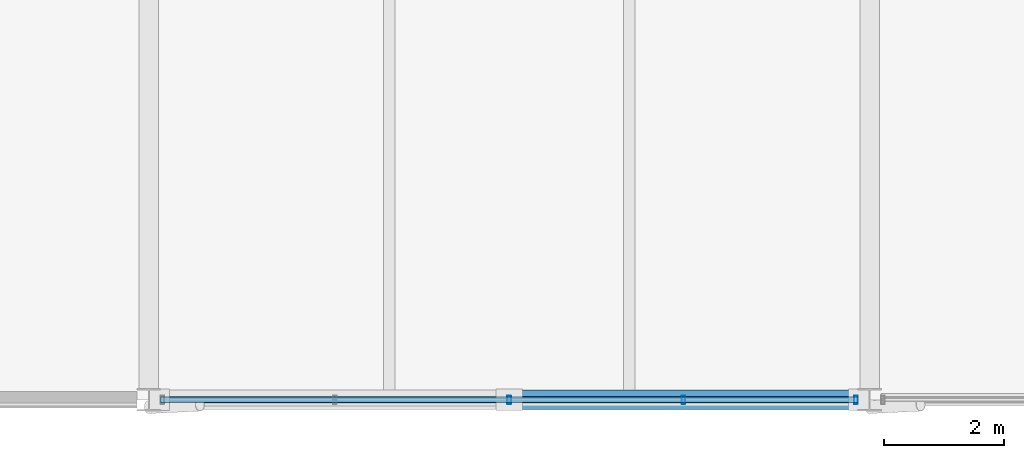
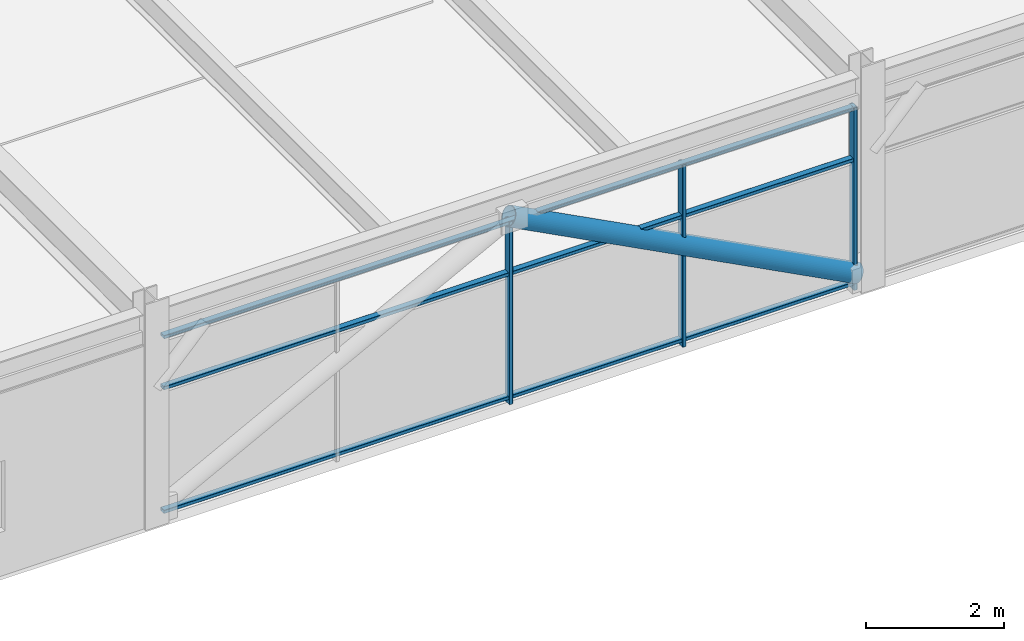
# One storey, part 10 of 52: 7 members, 1 element without a shape of its own.
"""IFC4 building model written with IfcOpenShell, lengths in metres."""

from ifc_helpers import new_model, si_unit, direction, frame, origin, origin_2d, place, context, subcontext, project, spatial, hollow_rectangle, hollow_circle, extrude, material, material_profile, profile_set, type_object, element, aggregate, save


model = new_model("IFC4")

# Units and contexts
model_context = context("Model", 3, precision=1e-05, world=origin(), true_north=direction((0.0, 1.0)))
body_context = subcontext(model_context, "Body", "Model", "MODEL_VIEW")
ifc_project = project(units=[si_unit("LENGTHUNIT", "METRE"), si_unit("AREAUNIT", "SQUARE_METRE"), si_unit("VOLUMEUNIT", "CUBIC_METRE"), si_unit("PLANEANGLEUNIT", "RADIAN"), si_unit("MASSUNIT", "GRAM", prefix="KILO")], contexts=[model_context])

# Site, building, storey
site_placement = place(None, origin())
site = spatial("IfcSite", under=ifc_project, at=site_placement, CompositionType="ELEMENT")
building_placement = place(site_placement, origin())
building = spatial("IfcBuilding", under=site, at=building_placement, Name="Girod Span Mobility Hub", CompositionType="ELEMENT")
storey_placement = place(building_placement, frame((0.0, 0.0, 45.60009765625)))
storey = spatial("IfcBuildingStorey", under=building, at=storey_placement, Name="L11", CompositionType="ELEMENT", Elevation=45.60009765625)

# Curtain wall, members
ifc_material_1 = material(Name="Thermally Broken Anodised Aluminium", Category="aluminium")
curtain_wall_type = type_object("IfcCurtainWallType", Name="CW-1161X324", PredefinedType="USERDEFINED", material=ifc_material_1)
curtain_wall_placement = place(storey_placement, origin())
curtain_wall = element("IfcCurtainWall", 1, at=curtain_wall_placement, inside=storey, type_object=curtain_wall_type, Name="Unitised Curtain Wall CW-L11-S04 L11", ObjectType="UNITISED CURTAIN WALL", PredefinedType="USERDEFINED")
ifc_material_2 = material(Name="Thermally Broken Anodised Aluminium", Category="aluminium")
ifc_material_profile_1 = material_profile(ifc_material_2, hollow_rectangle(XDim=0.139892578125, YDim=0.06005859375, WallThickness=0.00341796875, InnerFilletRadius=0.00341796875, OuterFilletRadius=0.007080078125, at=origin_2d()), Name="CW-ML-60X140")
ifc_profile_set_1 = profile_set([ifc_material_profile_1], Name="Thermally Broken Anodised Aluminium")
member_type_1 = type_object("IfcMemberType", Name="CWM-ML-4", PredefinedType="MULLION", material=ifc_profile_set_1)
member_1_placement = place(storey_placement, frame((42.0, 27.0, 0.0), z_axis=(0.0, 0.0, 1.0), x_axis=(0.0, 1.0, 0.0)))
member_1 = element("IfcMember", 2, at=member_1_placement, type_object=member_type_1, Name="Curtain Wall Mullion CW-L11-S04-M2", PredefinedType="MULLION", context=body_context, shape_type="SweptSolid", body=[
    extrude(hollow_rectangle(XDim=0.139892578125, YDim=0.06005859375, WallThickness=0.00341796875, InnerFilletRadius=0.00341796875, OuterFilletRadius=0.007080078125, at=origin_2d()), origin(), (0.0, 0.0, 1.0), 3.23583984375),
])
member_2_placement = place(storey_placement, frame((44.902587890625, 27.0, 0.0), z_axis=(0.0, 0.0, 1.0), x_axis=(0.0, 1.0, 0.0)))
member_2 = element("IfcMember", 3, at=member_2_placement, type_object=member_type_1, Name="Curtain Wall Mullion CW-L11-S04-M3", PredefinedType="MULLION", context=body_context, shape_type="SweptSolid", body=[
    extrude(hollow_rectangle(XDim=0.139892578125, YDim=0.06005859375, WallThickness=0.00341796875, InnerFilletRadius=0.00341796875, OuterFilletRadius=0.007080078125, at=origin_2d()), origin(), (0.0, 0.0, 1.0), 3.23583984375),
])
member_3_placement = place(storey_placement, frame((47.77294921875, 27.0, 0.0), z_axis=(0.0, 0.0, 1.0), x_axis=(0.0, 1.0, 0.0)))
member_3 = element("IfcMember", 4, at=member_3_placement, type_object=member_type_1, Name="Curtain Wall Mullion CW-L11-S04-M4", PredefinedType="MULLION", context=body_context, shape_type="SweptSolid", body=[
    extrude(hollow_rectangle(XDim=0.139892578125, YDim=0.06005859375, WallThickness=0.00341796875, InnerFilletRadius=0.00341796875, OuterFilletRadius=0.007080078125, at=origin_2d()), origin(), (0.0, 0.0, 1.0), 3.23583984375),
])
ifc_material_3 = material(Name="Thermally Broken Anodised Aluminium", Category="aluminium")
ifc_material_profile_2 = material_profile(ifc_material_3, hollow_rectangle(XDim=0.10498046875, YDim=0.06005859375, WallThickness=0.00341796875, InnerFilletRadius=0.00341796875, OuterFilletRadius=0.007080078125, at=origin_2d()), Name="CW-TR-60X105")
ifc_profile_set_2 = profile_set([ifc_material_profile_2], Name="Thermally Broken Anodised Aluminium")
member_type_2 = type_object("IfcMemberType", Name="CWM-TR-4", PredefinedType="USERDEFINED", material=ifc_profile_set_2)
member_4_placement = place(storey_placement, frame((36.195068359375, 27.0, 0.10986328125), z_axis=(1.0, 0.0, 0.0), x_axis=(0.0, 1.0, 0.0)))
member_4 = element("IfcMember", 5, at=member_4_placement, type_object=member_type_2, Name="Curtain Wall Transom CW-L11-S04-T1", ObjectType="TRANSOM", PredefinedType="USERDEFINED", context=body_context, shape_type="SweptSolid", body=[
    extrude(hollow_rectangle(XDim=0.10498046875, YDim=0.06005859375, WallThickness=0.00341796875, InnerFilletRadius=0.00341796875, OuterFilletRadius=0.007080078125, at=origin_2d()), origin(), (0.0, 0.0, 1.0), 11.60986328125),
])
member_5_placement = place(storey_placement, frame((36.195068359375, 27.0, 2.2998046875), z_axis=(1.0, 0.0, 0.0), x_axis=(0.0, 1.0, 0.0)))
member_5 = element("IfcMember", 6, at=member_5_placement, type_object=member_type_2, Name="Curtain Wall Transom CW-L11-S04-T2", ObjectType="TRANSOM", PredefinedType="USERDEFINED", context=body_context, shape_type="SweptSolid", body=[
    extrude(hollow_rectangle(XDim=0.10498046875, YDim=0.06005859375, WallThickness=0.00341796875, InnerFilletRadius=0.00341796875, OuterFilletRadius=0.007080078125, at=origin_2d()), origin(), (0.0, 0.0, 1.0), 11.60986328125),
])
member_6_placement = place(storey_placement, frame((36.195068359375, 27.0, 3.205810546875), z_axis=(1.0, 0.0, 0.0), x_axis=(0.0, 1.0, 0.0)))
member_6 = element("IfcMember", 7, at=member_6_placement, type_object=member_type_2, Name="Curtain Wall Transom CW-L11-S04-T3", ObjectType="TRANSOM", PredefinedType="USERDEFINED", context=body_context, shape_type="SweptSolid", body=[
    extrude(hollow_rectangle(XDim=0.10498046875, YDim=0.06005859375, WallThickness=0.00341796875, InnerFilletRadius=0.00341796875, OuterFilletRadius=0.007080078125, at=origin_2d()), origin(), (0.0, 0.0, 1.0), 11.60986328125),
])
aggregate(curtain_wall, [member_1, member_2, member_3, member_4, member_5, member_6])

# Member
ifc_material_4 = material(Name="Steel HSS A500 Grade C", Category="steel")
ifc_material_profile_3 = material_profile(ifc_material_4, hollow_circle(Radius=0.162109375, WallThickness=0.01171875, at=origin_2d()), Name="HSS324X12.7")
ifc_profile_set_3 = profile_set([ifc_material_profile_3], Name="Steel HSS A500 Grade C")
member_type_3 = type_object("IfcMemberType", Name="MB-BR-HSS324", PredefinedType="BRACE", material=ifc_profile_set_3)
member_7_placement = place(storey_placement, frame((47.822998046875, 27.0, 0.25), z_axis=(-0.886096804354, 0.0, 0.463500219325), x_axis=(0.0, -1.0, 0.0)))
element("IfcMember", 8, at=member_7_placement, inside=storey, type_object=member_type_3, Name="Upper Diagrid Brace 4/C-R L11", PredefinedType="BRACE", context=body_context, shape_type="SweptSolid", body=[
    extrude(hollow_circle(Radius=0.162109375, WallThickness=0.01171875, at=origin_2d()), origin(), (0.0, 0.0, 1.0), 6.571533203125),
])

save(model, "model.ifc")
